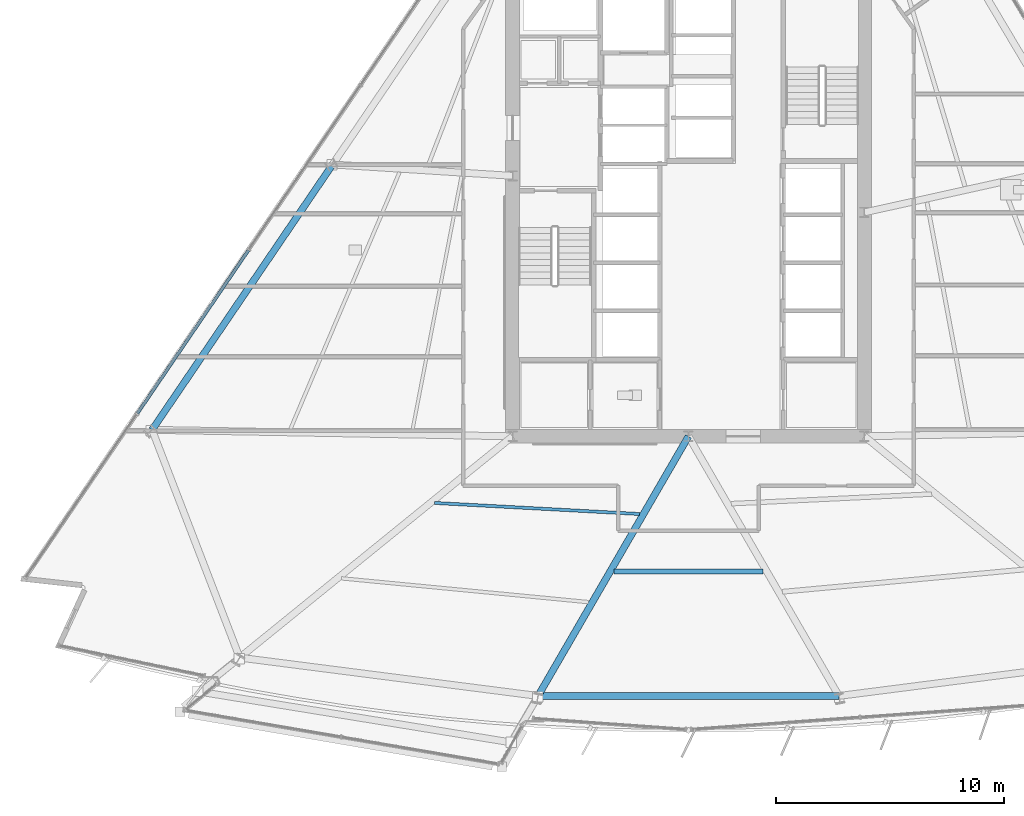
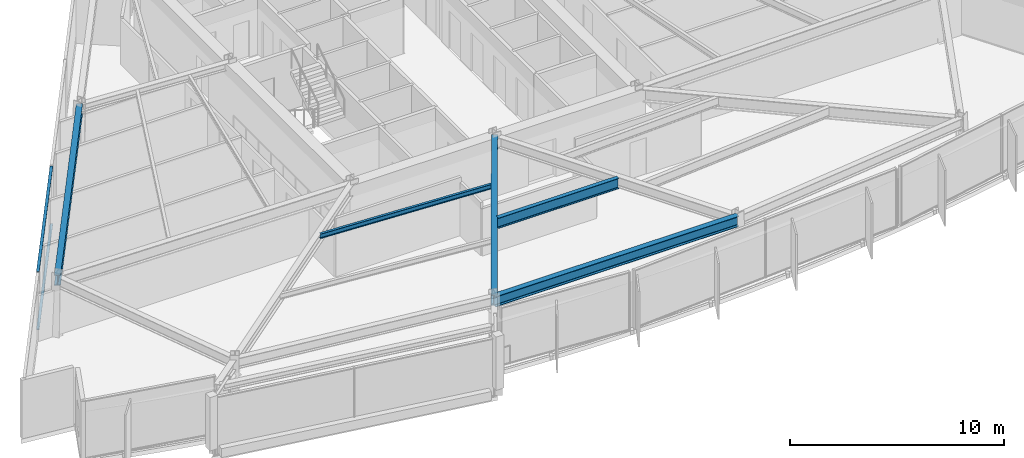
# One storey, part 3 of 17: 5 beams, 2 members, 1 element without a shape of its own.
"""IFC4 building model written with IfcOpenShell, lengths in metres."""

import ifcopenshell
import ifcopenshell.guid

model = None  # the IFC model being written
_history = None  # IfcOwnerHistory: only IFC2X3 demands one
_inside = {}  # id of a spatial element -> (the spatial element, [elements in it])
_under = {}  # id of a project, library or spatial element -> (it, [spatial elements below it])
_declared = {}  # id of a project -> (the project, [libraries it declares])
_typed = {}  # id of a type object -> (the type object, [elements of that type])
_made_of = {}  # id of a material, layer set ... -> (it, [elements and type objects made of it])


def new_model(schema):
    """Start an empty IFC model of exactly this schema.

    Asked for "IFC4X3", IfcOpenShell would pick the latest addendum, in which some entities
    have other attributes; the version numbers below select the first issue.
    IFC2X3 requires an IfcOwnerHistory on every rooted entity: one is made here for all.
    """
    global model, _history
    if schema == "IFC4X3":
        model = ifcopenshell.file(schema_version=(4, 3, 0, 0))
    else:
        model = ifcopenshell.file(schema=schema)
    _inside.clear()
    _under.clear()
    _declared.clear()
    _typed.clear()
    _made_of.clear()
    _history = None
    if model.schema == "IFC2X3":
        org = make("IfcOrganization", Name="unknown")
        user = make(
            "IfcPersonAndOrganization",
            ThePerson=make("IfcPerson", FamilyName="unknown"),
            TheOrganization=org,
        )
        app = make(
            "IfcApplication",
            ApplicationDeveloper=org,
            Version="unknown",
            ApplicationFullName="unknown",
            ApplicationIdentifier="unknown",
        )
        _history = make(
            "IfcOwnerHistory",
            OwningUser=user,
            OwningApplication=app,
            ChangeAction="ADDED",
            CreationDate=0,
        )
    return model


def make(cls, **values):
    """One entity of the class cls with the attributes given. An attribute that is None is left unset."""
    return model.create_entity(
        cls, **{name: value for name, value in values.items() if value is not None}
    )


def rooted(cls, **values):
    """An entity with a GlobalId (a new one), such as an element, a storey or a relation."""
    return make(cls, GlobalId=ifcopenshell.guid.new(), OwnerHistory=_history, **values)


def si_unit(unit_type, name, prefix=None):
    """IfcSIUnit, for example si_unit("LENGTHUNIT", "METRE", prefix="MILLI")."""
    return make("IfcSIUnit", UnitType=unit_type, Prefix=prefix, Name=name)


def assignment(units):
    """IfcUnitAssignment: the units of a project."""
    return None if units is None else make("IfcUnitAssignment", Units=units)


def point(xyz):
    """IfcCartesianPoint."""
    return None if xyz is None else make("IfcCartesianPoint", Coordinates=xyz)


def direction(xyz):
    """IfcDirection."""
    return None if xyz is None else make("IfcDirection", DirectionRatios=xyz)


def frame(location, z_axis=None, x_axis=None):
    """IfcAxis2Placement3D, a coordinate frame: its origin and axes. An axis left out is left unset."""
    return make(
        "IfcAxis2Placement3D",
        Location=point(location),
        Axis=direction(z_axis),
        RefDirection=direction(x_axis),
    )


def frame_2d(location, x_axis=None):
    """IfcAxis2Placement2D, a coordinate frame in the plane: its origin and x axis."""
    return make(
        "IfcAxis2Placement2D", Location=point(location), RefDirection=direction(x_axis)
    )


def origin():
    """The frame at (0, 0, 0) with its axes left unset."""
    return frame((0.0, 0.0, 0.0))


def origin_2d():
    """The frame at (0, 0) in the plane with its x axis left unset."""
    return frame_2d((0.0, 0.0))


def place(relative_to, where):
    """IfcLocalPlacement: puts the frame where relative to a parent placement (None: the world)."""
    return make(
        "IfcLocalPlacement", PlacementRelTo=relative_to, RelativePlacement=where
    )


def context(
    kind, dimensions, precision=None, world=None, true_north=None, identifier=None
):
    """IfcGeometricRepresentationContext, for example the 3D "Model" context."""
    return make(
        "IfcGeometricRepresentationContext",
        ContextIdentifier=identifier,
        ContextType=kind,
        CoordinateSpaceDimension=dimensions,
        Precision=precision,
        WorldCoordinateSystem=world,
        TrueNorth=true_north,
    )


def subcontext(parent, identifier, kind, view, scale=None):
    """IfcGeometricRepresentationSubContext, for example "Body" below "Model"."""
    return make(
        "IfcGeometricRepresentationSubContext",
        ContextIdentifier=identifier,
        ContextType=kind,
        ParentContext=parent,
        TargetScale=scale,
        TargetView=view,
    )


def project(units=None, contexts=None):
    """IfcProject with its units and contexts."""
    return rooted(
        "IfcProject",
        Name="project",
        RepresentationContexts=contexts,
        UnitsInContext=assignment(units),
    )


def spatial(cls, under=None, at=None, **own):
    """A site, building, storey or space (cls), placed at a placement, below another one or the project."""
    s = rooted(cls, ObjectPlacement=at, **own)
    if under is not None:
        _under.setdefault(under.id(), (under, []))[1].append(s)
    return s


def profile(cls, at=None, kind="AREA", **sizes):
    """A parametric profile (cls). Its sizes go by their IFC names, for example OverallWidth=200.0."""
    return make(cls, ProfileType=kind, Position=at, **sizes)


def rectangle(**sizes):
    """IfcRectangleProfileDef."""
    return profile("IfcRectangleProfileDef", **sizes)


def i_section(**sizes):
    """IfcIShapeProfileDef."""
    return profile("IfcIShapeProfileDef", **sizes)


def extrude(swept, where, along, depth):
    """IfcExtrudedAreaSolid: the profile swept, set in the frame where, extruded along a direction by depth."""
    return make(
        "IfcExtrudedAreaSolid",
        SweptArea=swept,
        Position=where,
        ExtrudedDirection=direction(along),
        Depth=depth,
    )


def shape(context_of_items, identifier, shape_type, items):
    """IfcShapeRepresentation: the items that make up one representation, for example the "Body"."""
    return make(
        "IfcShapeRepresentation",
        ContextOfItems=context_of_items,
        RepresentationIdentifier=identifier,
        RepresentationType=shape_type,
        Items=items,
    )


def material(Name=None, Category=None):
    """IfcMaterial."""
    return make("IfcMaterial", Name=Name, Category=Category)


def material_profile(
    of_material, cross_section, Name=None, Category=None, Priority=None
):
    """IfcMaterialProfile: a cross section and its material."""
    return make(
        "IfcMaterialProfile",
        Name=Name,
        Material=of_material,
        Profile=cross_section,
        Priority=Priority,
        Category=Category,
    )


def profile_set(profiles, Name=None, composite=None):
    """IfcMaterialProfileSet."""
    return make(
        "IfcMaterialProfileSet",
        Name=Name,
        MaterialProfiles=profiles,
        CompositeProfile=composite,
    )


def made_of(thing, what):
    """Note that an element or type object is made of a material, layer set ...; save() writes the relation."""
    if what is not None:
        _made_of.setdefault(what.id(), (what, []))[1].append(thing)
    return thing


def type_object(cls, material=None, **own):
    """A type object (cls), such as IfcWallType, which elements share."""
    return made_of(rooted(cls, **own), material)


def element(
    cls,
    number,
    at=None,
    inside=None,
    cuts=None,
    type_object=None,
    material=None,
    context=None,
    identifier="Body",
    shape_type=None,
    held_by="IfcProductDefinitionShape",
    body=None,
    shapes=None,
    **own,
):
    """One element of the class cls, such as IfcWall. Its Tag is "e" and its number.

    at: its placement. inside: the storey or other place that contains it. cuts: it is an
    opening in that element (IfcRelVoidsElement). A single representation is given by context,
    identifier, shape_type and body (its items); several are given by shapes. held_by: the class
    of the entity that holds the representations. save() writes the other relations.
    """
    e = rooted(cls, Tag="e%d" % number, ObjectPlacement=at, **own)
    if body is not None:
        shapes = [shape(context, identifier, shape_type, body)]
    if shapes is not None:
        e.Representation = make(held_by, Representations=shapes)
    if inside is not None:
        _inside.setdefault(inside.id(), (inside, []))[1].append(e)
    if cuts is not None:
        rooted(
            "IfcRelVoidsElement", RelatingBuildingElement=cuts, RelatedOpeningElement=e
        )
    if type_object is not None:
        _typed.setdefault(type_object.id(), (type_object, []))[1].append(e)
    return made_of(e, material)


def aggregate(whole, parts):
    """IfcRelAggregates: a whole, such as a stair, and the parts it consists of."""
    return rooted("IfcRelAggregates", RelatingObject=whole, RelatedObjects=parts)


def save(model, path):
    """Write the relations noted so far, then the file.

    IfcRelAggregates (storeys below a building ...), IfcRelContainedInSpatialStructure (elements
    in a storey), IfcRelDefinesByType, IfcRelAssociatesMaterial and IfcRelDeclares: one each for
    every whole, place, type object, material and project.
    """
    for whole, parts in _under.values():
        aggregate(whole, parts)
    for where, things in _inside.values():
        rooted(
            "IfcRelContainedInSpatialStructure",
            RelatedElements=things,
            RelatingStructure=where,
        )
    for kind, things in _typed.values():
        rooted("IfcRelDefinesByType", RelatedObjects=things, RelatingType=kind)
    for what, things in _made_of.values():
        rooted("IfcRelAssociatesMaterial", RelatedObjects=things, RelatingMaterial=what)
    for by, libraries in _declared.values():
        rooted("IfcRelDeclares", RelatingContext=by, RelatedDefinitions=libraries)
    model.write(path)


model = new_model("IFC4")

# Units and contexts
model_context = context("Model", 3, precision=1e-05, world=origin(), true_north=direction((0.0, 1.0)))
body_context = subcontext(model_context, "Body", "Model", "MODEL_VIEW")
ifc_project = project(units=[si_unit("LENGTHUNIT", "METRE"), si_unit("AREAUNIT", "SQUARE_METRE"), si_unit("VOLUMEUNIT", "CUBIC_METRE"), si_unit("PLANEANGLEUNIT", "RADIAN"), si_unit("MASSUNIT", "GRAM", prefix="KILO")], contexts=[model_context])

# Site, building, storey
site_placement = place(None, origin())
site = spatial("IfcSite", under=ifc_project, at=site_placement, CompositionType="ELEMENT")
building_placement = place(site_placement, origin())
building = spatial("IfcBuilding", under=site, at=building_placement, Name="Savorim Split Tower", CompositionType="ELEMENT")
storey_placement = place(building_placement, frame((0.0, 0.0, 58.800048828125)))
storey = spatial("IfcBuildingStorey", under=building, at=storey_placement, Name="L15", CompositionType="ELEMENT", Elevation=58.800048828125)

# Beams
ifc_material_1 = material(Name="Steel S355", Category="steel")
ifc_material_profile_1 = material_profile(ifc_material_1, i_section(OverallWidth=0.135009765625, OverallDepth=0.27001953125, WebThickness=0.006591796875, FlangeThickness=0.01025390625, FilletRadius=0.014892578125, at=origin_2d()), Name="IPE 270")
ifc_profile_set_1 = profile_set([ifc_material_profile_1], Name="Steel S355")
beam_type_1 = type_object("IfcBeamType", Name="BM-JST-IPE270", PredefinedType="JOIST", material=ifc_profile_set_1)
beam_1_placement = place(storey_placement, frame((-11.122802734375, -12.314208984375, 3.21484375), z_axis=(0.998543734763, -0.053948213729, 0.0), x_axis=(0.053948213729, 0.998543734763, 0.0)))
element("IfcBeam", 1, at=beam_1_placement, inside=storey, type_object=beam_type_1, Name="L15 Secondary Floor Joist JS-02", PredefinedType="JOIST", context=body_context, shape_type="SweptSolid", body=[
    extrude(i_section(OverallWidth=0.135009765625, OverallDepth=0.27001953125, WebThickness=0.006591796875, FlangeThickness=0.01025390625, FilletRadius=0.014892578125, at=origin_2d()), origin(), (0.0, 0.0, 1.0), 9.001220703125),
])
ifc_material_profile_2 = material_profile(ifc_material_1, i_section(OverallWidth=0.219970703125, OverallDepth=0.60009765625, WebThickness=0.011962890625, FlangeThickness=0.01904296875, FilletRadius=0.02392578125, at=origin_2d()), Name="IPE 600")
ifc_profile_set_2 = profile_set([ifc_material_profile_2], Name="Steel S355")
beam_type_2 = type_object("IfcBeamType", Name="BM-JST-IPE600", PredefinedType="JOIST", material=ifc_profile_set_2)
beam_2_placement = place(storey_placement, frame((-3.26318359375, -15.30810546875, 3.050048828125), z_axis=(1.0, 0.0, 0.0), x_axis=(0.0, 1.0, 0.0)))
element("IfcBeam", 2, at=beam_2_placement, inside=storey, type_object=beam_type_2, Name="L15 Secondary Floor Joist JS-03", PredefinedType="JOIST", context=body_context, shape_type="SweptSolid", body=[
    extrude(i_section(OverallWidth=0.219970703125, OverallDepth=0.60009765625, WebThickness=0.011962890625, FlangeThickness=0.01904296875, FilletRadius=0.02392578125, at=origin_2d()), origin(), (0.0, 0.0, 1.0), 6.5263671875),
])
ifc_material_profile_3 = material_profile(ifc_material_1, i_section(OverallWidth=0.300048828125, OverallDepth=0.60009765625, WebThickness=0.015380859375, FlangeThickness=0.030029296875, FilletRadius=0.027099609375, at=origin_2d()), Name="HEB 600")
ifc_profile_set_3 = profile_set([ifc_material_profile_3], Name="Steel S355")
beam_type_3 = type_object("IfcBeamType", Name="BM-PRI-HEB600", PredefinedType="BEAM", material=ifc_profile_set_3)
beam_3_placement = place(storey_placement, frame((-6.5830078125, -20.76171875, 3.050048828125), z_axis=(0.501327935898, 0.865257360956, 0.0), x_axis=(-0.865257360956, 0.501327935898, 0.0)))
element("IfcBeam", 3, at=beam_3_placement, inside=storey, type_object=beam_type_3, Name="L15 Primary Floor Girder RG-02", PredefinedType="BEAM", context=body_context, shape_type="SweptSolid", body=[
    extrude(i_section(OverallWidth=0.300048828125, OverallDepth=0.60009765625, WebThickness=0.015380859375, FlangeThickness=0.030029296875, FilletRadius=0.027099609375, at=origin_2d()), origin(), (0.0, 0.0, 1.0), 13.131103515625),
])
ifc_material_profile_4 = material_profile(ifc_material_1, i_section(OverallWidth=0.300048828125, OverallDepth=0.590087890625, WebThickness=0.012939453125, FlangeThickness=0.02490234375, FilletRadius=0.027099609375, at=origin_2d()), Name="HEA 600")
ifc_profile_set_4 = profile_set([ifc_material_profile_4], Name="Steel S355")
beam_type_4 = type_object("IfcBeamType", Name="BM-SPN-HEA600", PredefinedType="SPANDREL", material=ifc_profile_set_4)
beam_4_placement = place(storey_placement, frame((-6.5830078125, -20.76171875, 3.054931640625), z_axis=(1.0, 0.0, 0.0), x_axis=(0.0, 1.0, 0.0)))
element("IfcBeam", 4, at=beam_4_placement, inside=storey, type_object=beam_type_4, Name="L15 Perimeter Spandrel Beam 2", PredefinedType="SPANDREL", context=body_context, shape_type="SweptSolid", body=[
    extrude(i_section(OverallWidth=0.300048828125, OverallDepth=0.590087890625, WebThickness=0.012939453125, FlangeThickness=0.02490234375, FilletRadius=0.027099609375, at=origin_2d()), origin(), (0.0, 0.0, 1.0), 13.166015625),
])
beam_5_placement = place(storey_placement, frame((-15.57568359375, 2.4970703125, 3.054931640625), z_axis=(-0.562469759557, -0.826817857562, 0.0), x_axis=(0.826817857562, -0.562469759557, 0.0)))
element("IfcBeam", 5, at=beam_5_placement, inside=storey, type_object=beam_type_4, Name="L15 Perimeter Spandrel Beam 9", PredefinedType="SPANDREL", context=body_context, shape_type="SweptSolid", body=[
    extrude(i_section(OverallWidth=0.300048828125, OverallDepth=0.590087890625, WebThickness=0.012939453125, FlangeThickness=0.02490234375, FilletRadius=0.027099609375, at=origin_2d()), origin(), (0.0, 0.0, 1.0), 14.04541015625),
])

# Curtain wall, members
ifc_material_2 = material(Name="Dark Ceramic-Fritted Insulated Glass", Category="glass")
curtain_wall_type = type_object("IfcCurtainWallType", Name="CW-TWR-FRIT-A", PredefinedType="NOTDEFINED", material=ifc_material_2)
curtain_wall_placement = place(storey_placement, origin())
curtain_wall = element("IfcCurtainWall", 6, at=curtain_wall_placement, inside=storey, type_object=curtain_wall_type, Name="L15 Curtain Wall CW-L15-WEST", PredefinedType="NOTDEFINED")
ifc_material_3 = material(Name="Charcoal Anodised Aluminium", Category="aluminium")
ifc_material_profile_5 = material_profile(ifc_material_3, rectangle(XDim=0.139892578125, YDim=0.054931640625, at=origin_2d()), Name="ALU-T 140x55")
ifc_profile_set_5 = profile_set([ifc_material_profile_5], Name="Charcoal Anodised Aluminium")
member_type = type_object("IfcMemberType", Name="CWT-140x55", PredefinedType="USERDEFINED", material=ifc_profile_set_5)
member_1_placement = place(storey_placement, frame((-19.260009765625, -1.256103515625, 0.02734375), z_axis=(-0.562449926829, -0.826831349073, 0.0), x_axis=(0.826831349073, -0.562449926829, 0.0)))
member_1 = element("IfcMember", 7, at=member_1_placement, type_object=member_type, Name="CW-02 transom 3.1", ObjectType="TRANSOM", PredefinedType="USERDEFINED", context=body_context, shape_type="SweptSolid", body=[
    extrude(rectangle(XDim=0.139892578125, YDim=0.054931640625, at=origin_2d()), origin(), (0.0, 0.0, 1.0), 8.638671875),
])
member_2_placement = place(storey_placement, frame((-19.260009765625, -1.256103515625, 3.322509765625), z_axis=(-0.562449926829, -0.826831349073, 0.0), x_axis=(0.826831349073, -0.562449926829, 0.0)))
member_2 = element("IfcMember", 8, at=member_2_placement, type_object=member_type, Name="CW-02 transom 3.2", ObjectType="TRANSOM", PredefinedType="USERDEFINED", context=body_context, shape_type="SweptSolid", body=[
    extrude(rectangle(XDim=0.139892578125, YDim=0.054931640625, at=origin_2d()), origin(), (0.0, 0.0, 1.0), 8.638671875),
])
aggregate(curtain_wall, [member_1, member_2])

save(model, "model.ifc")
